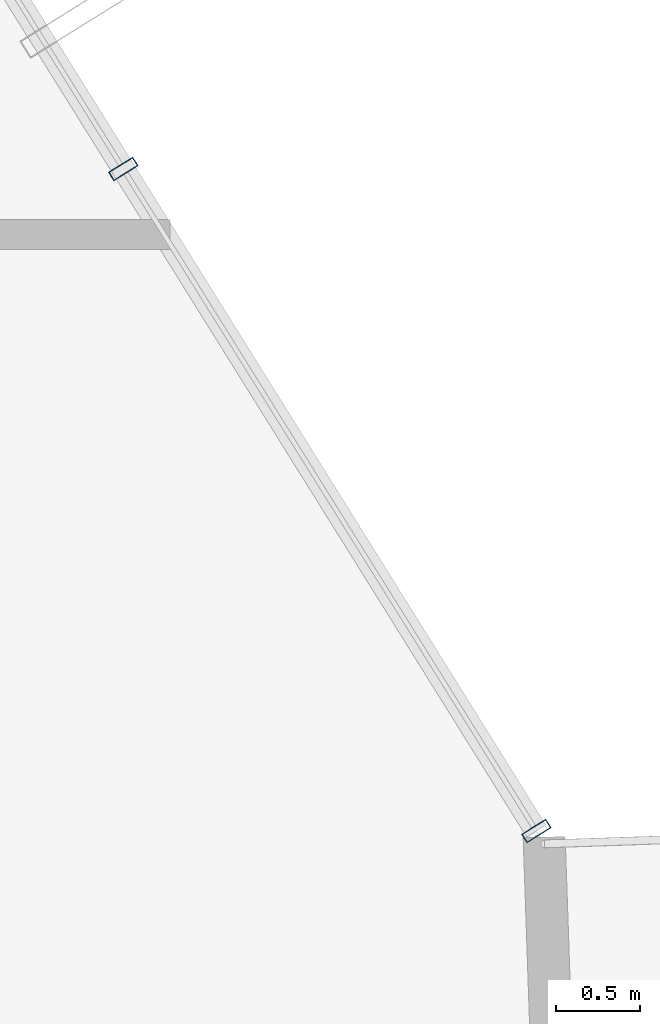
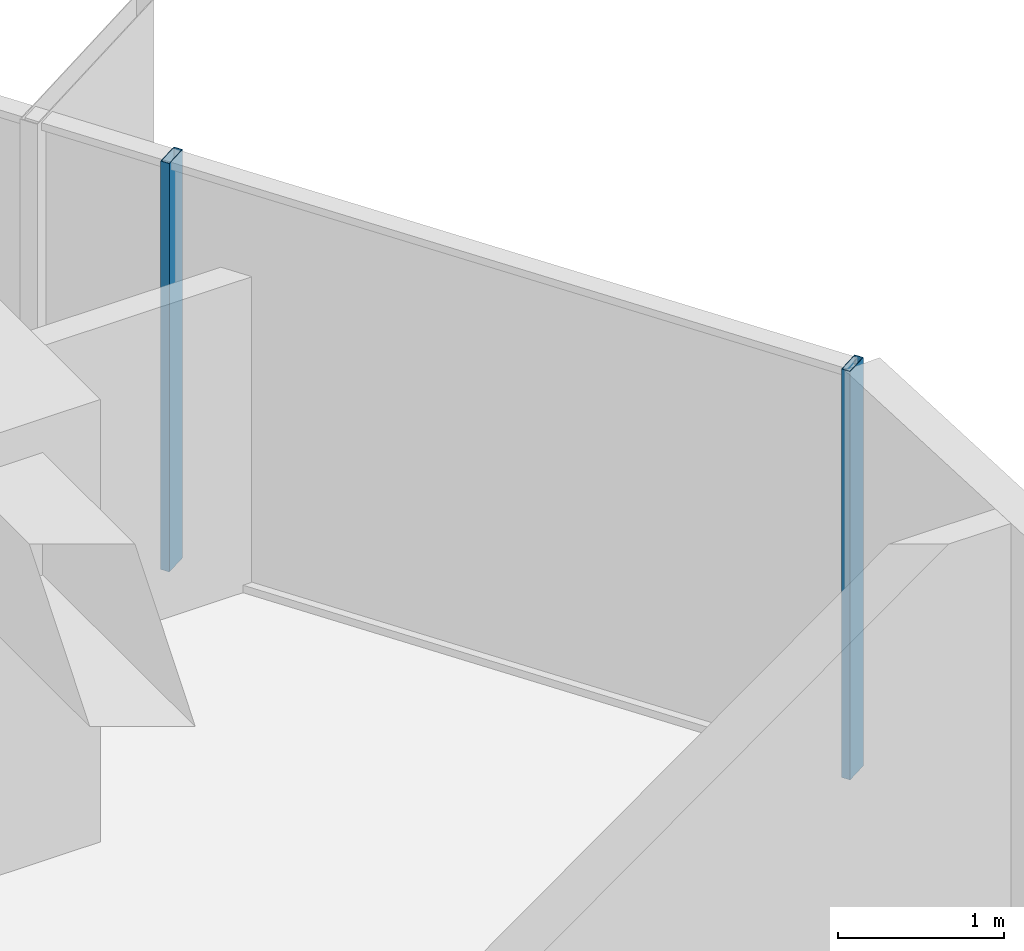
# One storey, part 22 of 39: 2 members, 1 element without a shape of its own.
"""IFC4 building model written with IfcOpenShell, lengths in metres."""

from ifc_helpers import new_model, si_unit, direction, frame, origin, origin_2d, place, context, subcontext, project, spatial, hollow_rectangle, extrude, source, transform, mapped, material, layer, layer_set, material_profile, profile_set, type_object, element, aggregate, save


model = new_model("IFC4")

# Units and contexts
model_context = context("Model", 3, precision=1e-05, world=origin(), true_north=direction((0.0, 1.0)))
body_context = subcontext(model_context, "Body", "Model", "MODEL_VIEW")
ifc_project = project(units=[si_unit("LENGTHUNIT", "METRE"), si_unit("AREAUNIT", "SQUARE_METRE"), si_unit("VOLUMEUNIT", "CUBIC_METRE"), si_unit("PLANEANGLEUNIT", "RADIAN"), si_unit("MASSUNIT", "GRAM", prefix="KILO")], contexts=[model_context])

# Site, building, storey
site_placement = place(None, origin())
site = spatial("IfcSite", under=ifc_project, at=site_placement, CompositionType="ELEMENT")
building_placement = place(site_placement, origin())
building = spatial("IfcBuilding", under=site, at=building_placement, Name="Veraguas Prism Commons", CompositionType="ELEMENT")
storey_placement = place(building_placement, frame((0.0, 0.0, 30.550048828125)))
storey = spatial("IfcBuildingStorey", under=building, at=storey_placement, Name="L07", CompositionType="ELEMENT", Elevation=30.550048828125)

# Curtain wall, members
ifc_material = material(Name="Anodised aluminium EN AW-6063 T6", Category="aluminium")
ifc_layer = layer(ifc_material, 0.169921875, Name="Unitised Flush Curtain Wall Zone 1", Category="aluminium")
ifc_layer_set = layer_set([ifc_layer], Name="Anodised aluminium EN AW-6063 T6")
curtain_wall_type = type_object("IfcCurtainWallType", Name="Unitised Flush Curtain Wall Zone 1", PredefinedType="NOTDEFINED", material=ifc_layer_set)
curtain_wall_placement = place(storey_placement, origin())
curtain_wall = element("IfcCurtainWall", 1, at=curtain_wall_placement, inside=storey, type_object=curtain_wall_type, Name="Tower Facade Curtain Wall L07-F1", PredefinedType="NOTDEFINED")
ifc_material_profile = material_profile(ifc_material, hollow_rectangle(XDim=0.06005859375, YDim=0.169921875, WallThickness=0.00390625, at=origin_2d()), Name="AL60X170X4")
ifc_profile_set = profile_set([ifc_material_profile], Name="Anodised aluminium EN AW-6063 T6")
member_type = type_object("IfcMemberType", Name="Curtain Wall Mullion Lower AL 60x170x4", PredefinedType="MULLION", material=ifc_profile_set)
shared_shape = source(origin(), body_context, "Body", "SweptSolid", [
    extrude(hollow_rectangle(XDim=0.06005859375, YDim=0.169921875, WallThickness=0.00390625, at=origin_2d()), origin(), (0.0, 0.0, 1.0), 3.0),
])
member_1_placement = place(storey_placement, frame((46.56298828125, 27.1015625, 0.0), z_axis=(0.0, 0.0, 1.0), x_axis=(-0.529324124343, 0.848419690594, 0.0)))
member_1 = element("IfcMember", 2, at=member_1_placement, type_object=member_type, Name="CW-Z1 Mullion 1", PredefinedType="MULLION", context=body_context, shape_type="MappedRepresentation", body=[
    mapped(shared_shape, transform((0.0, 0.0, 0.0), scale=1.0)),
])
member_2_placement = place(storey_placement, frame((44.1064453125, 31.038818359375, 0.0), z_axis=(0.0, 0.0, 1.0), x_axis=(-0.529324124343, 0.848419690594, 0.0)))
member_2 = element("IfcMember", 3, at=member_2_placement, type_object=member_type, Name="CW-Z1 Mullion 2", PredefinedType="MULLION", context=body_context, shape_type="MappedRepresentation", body=[
    mapped(shared_shape, transform((0.0, 0.0, 0.0), scale=1.0)),
])
aggregate(curtain_wall, [member_1, member_2])

save(model, "model.ifc")
